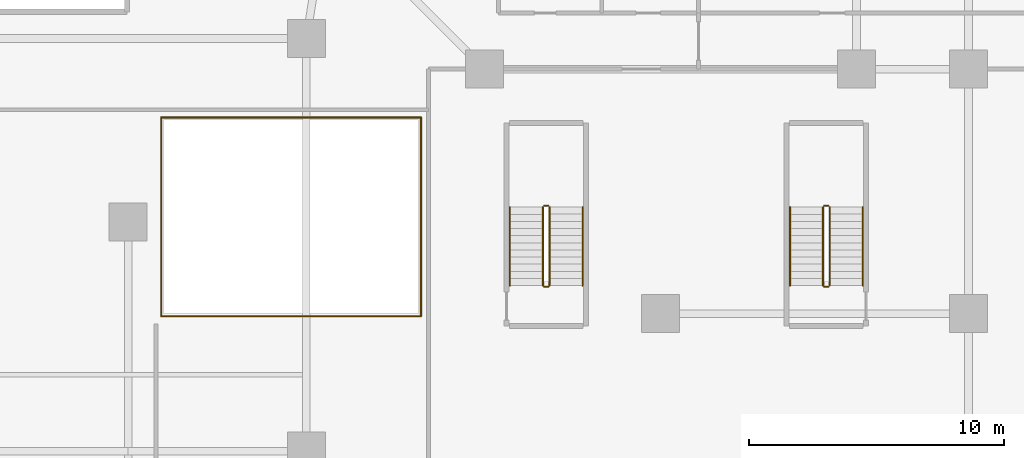
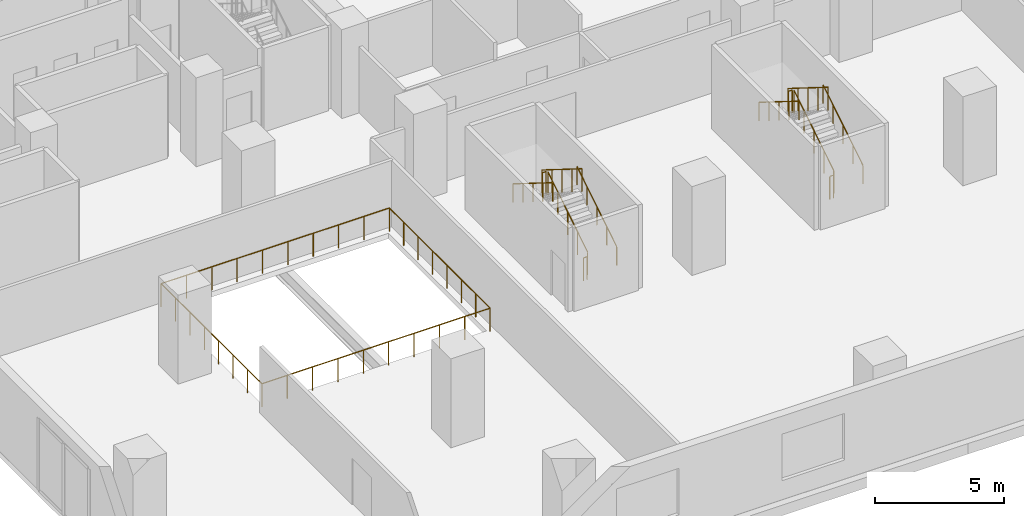
# One storey, part 12 of 14: 16 railings.
"""IFC4 building model written with IfcOpenShell, lengths in metres."""

from ifc_helpers import new_model, si_unit, direction, frame, origin, origin_2d, place, context, subcontext, project, spatial, circle, extrude, material, layer, layer_set, type_object, element, save


model = new_model("IFC4")

# Units and contexts
model_context = context("Model", 3, precision=1e-05, world=origin(), true_north=direction((0.0, 1.0)))
body_context = subcontext(model_context, "Body", "Model", "MODEL_VIEW")
ifc_project = project(units=[si_unit("LENGTHUNIT", "METRE"), si_unit("AREAUNIT", "SQUARE_METRE"), si_unit("VOLUMEUNIT", "CUBIC_METRE"), si_unit("PLANEANGLEUNIT", "RADIAN"), si_unit("MASSUNIT", "GRAM", prefix="KILO")], contexts=[model_context])

# Site, building, storey
site_placement = place(None, origin())
site = spatial("IfcSite", under=ifc_project, at=site_placement, CompositionType="ELEMENT")
building_placement = place(site_placement, origin())
building = spatial("IfcBuilding", under=site, at=building_placement, Name="Kuzgunbayir Cultural Tower", CompositionType="ELEMENT")
storey_placement = place(building_placement, frame((0.0, 0.0, 8.800048828125)))
storey = spatial("IfcBuildingStorey", under=building, at=storey_placement, Name="L02", CompositionType="ELEMENT", Elevation=8.800048828125)

# Railings
ifc_material_1 = material(Name="Brushed Stainless Steel", Category="steel")
ifc_layer_1 = layer(ifc_material_1, 0.050048828125)
ifc_layer_set_1 = layer_set([ifc_layer_1], Name="Brushed Stainless Steel")
railing_type_1 = type_object("IfcRailingType", Name="RLG-STAIR-HANDRAIL", PredefinedType="HANDRAIL", material=ifc_layer_set_1)
railing_1_placement = place(storey_placement, frame((30.449951171875, 19.10009765625, 0.175048828125)))
element("IfcRailing", 1, at=railing_1_placement, inside=storey, type_object=railing_type_1, Name="L02 ST-5 stair handrail 1", PredefinedType="HANDRAIL", context=body_context, shape_type="SweptSolid", body=[
    extrude(circle(Radius=0.02392578125, at=origin_2d()), frame((0.0, 0.0, 0.8759765625), z_axis=(0.0, 0.848009633417, 0.529980812513), x_axis=(-1.0, 0.0, 0.0)), (0.0, 0.0, 1.0), 3.6318359375),
    extrude(circle(Radius=0.02099609375, at=origin_2d()), origin(), (0.0, 0.0, 1.0), 0.851806640625),
    extrude(circle(Radius=0.02099609375, at=origin_2d()), frame((0.0, 0.77001953125, 0.481201171875)), (0.0, 0.0, 1.0), 0.851806640625),
    extrude(circle(Radius=0.02099609375, at=origin_2d()), frame((0.0, 1.5400390625, 0.96240234375)), (0.0, 0.0, 1.0), 0.851806640625),
    extrude(circle(Radius=0.02099609375, at=origin_2d()), frame((0.0, 2.309814453125, 1.443603515625)), (0.0, 0.0, 1.0), 0.851806640625),
    extrude(circle(Radius=0.02099609375, at=origin_2d()), frame((0.0, 3.079833984375, 1.9248046875)), (0.0, 0.0, 1.0), 0.851806640625),
])
railing_2_placement = place(storey_placement, frame((27.590087890625, 22.179931640625, 2.27490234375)))
element("IfcRailing", 2, at=railing_2_placement, inside=storey, type_object=railing_type_1, Name="L02 ST-5 stair handrail 2", PredefinedType="HANDRAIL", context=body_context, shape_type="SweptSolid", body=[
    extrude(circle(Radius=0.02392578125, at=origin_2d()), frame((0.0, 0.0, 0.8759765625), z_axis=(0.0, -0.847979421464, 0.530029150871), x_axis=(1.0, 0.0, 0.0)), (0.0, 0.0, 1.0), 3.632080078125),
    extrude(circle(Radius=0.02099609375, at=origin_2d()), origin(), (0.0, 0.0, 1.0), 0.851806640625),
    extrude(circle(Radius=0.02099609375, at=origin_2d()), frame((0.0, -0.77001953125, 0.481201171875)), (0.0, 0.0, 1.0), 0.851806640625),
    extrude(circle(Radius=0.02099609375, at=origin_2d()), frame((0.0, -1.5400390625, 0.96240234375)), (0.0, 0.0, 1.0), 0.851806640625),
    extrude(circle(Radius=0.02099609375, at=origin_2d()), frame((0.0, -2.309814453125, 1.44384765625)), (0.0, 0.0, 1.0), 0.851806640625),
    extrude(circle(Radius=0.02099609375, at=origin_2d()), frame((0.0, -3.079833984375, 1.925048828125)), (0.0, 0.0, 1.0), 0.851806640625),
])
railing_3_placement = place(storey_placement, frame((41.449951171875, 19.10009765625, 0.175048828125)))
element("IfcRailing", 3, at=railing_3_placement, inside=storey, type_object=railing_type_1, Name="L02 ST-6 stair handrail 1", PredefinedType="HANDRAIL", context=body_context, shape_type="SweptSolid", body=[
    extrude(circle(Radius=0.02392578125, at=origin_2d()), frame((0.0, 0.0, 0.8759765625), z_axis=(0.0, 0.848009633417, 0.529980812513), x_axis=(-1.0, 0.0, 0.0)), (0.0, 0.0, 1.0), 3.6318359375),
    extrude(circle(Radius=0.02099609375, at=origin_2d()), origin(), (0.0, 0.0, 1.0), 0.851806640625),
    extrude(circle(Radius=0.02099609375, at=origin_2d()), frame((0.0, 0.77001953125, 0.481201171875)), (0.0, 0.0, 1.0), 0.851806640625),
    extrude(circle(Radius=0.02099609375, at=origin_2d()), frame((0.0, 1.5400390625, 0.96240234375)), (0.0, 0.0, 1.0), 0.851806640625),
    extrude(circle(Radius=0.02099609375, at=origin_2d()), frame((0.0, 2.309814453125, 1.443603515625)), (0.0, 0.0, 1.0), 0.851806640625),
    extrude(circle(Radius=0.02099609375, at=origin_2d()), frame((0.0, 3.079833984375, 1.9248046875)), (0.0, 0.0, 1.0), 0.851806640625),
])
railing_4_placement = place(storey_placement, frame((38.590087890625, 22.179931640625, 2.27490234375)))
element("IfcRailing", 4, at=railing_4_placement, inside=storey, type_object=railing_type_1, Name="L02 ST-6 stair handrail 2", PredefinedType="HANDRAIL", context=body_context, shape_type="SweptSolid", body=[
    extrude(circle(Radius=0.02392578125, at=origin_2d()), frame((0.0, 0.0, 0.8759765625), z_axis=(0.0, -0.847979421464, 0.530029150871), x_axis=(1.0, 0.0, 0.0)), (0.0, 0.0, 1.0), 3.632080078125),
    extrude(circle(Radius=0.02099609375, at=origin_2d()), origin(), (0.0, 0.0, 1.0), 0.851806640625),
    extrude(circle(Radius=0.02099609375, at=origin_2d()), frame((0.0, -0.77001953125, 0.481201171875)), (0.0, 0.0, 1.0), 0.851806640625),
    extrude(circle(Radius=0.02099609375, at=origin_2d()), frame((0.0, -1.5400390625, 0.96240234375)), (0.0, 0.0, 1.0), 0.851806640625),
    extrude(circle(Radius=0.02099609375, at=origin_2d()), frame((0.0, -2.309814453125, 1.44384765625)), (0.0, 0.0, 1.0), 0.851806640625),
    extrude(circle(Radius=0.02099609375, at=origin_2d()), frame((0.0, -3.079833984375, 1.925048828125)), (0.0, 0.0, 1.0), 0.851806640625),
])
ifc_material_2 = material(Name="Painted Steel Balustrade", Category="steel")
ifc_layer_2 = layer(ifc_material_2, 0.06005859375)
ifc_layer_set_2 = layer_set([ifc_layer_2], Name="Painted Steel Balustrade")
railing_type_2 = type_object("IfcRailingType", Name="RLG-WELL-GUARD", PredefinedType="GUARDRAIL", material=ifc_layer_set_2)
railing_5_placement = place(storey_placement, frame((29.14990234375, 19.10009765625, 0.175048828125)))
element("IfcRailing", 5, at=railing_5_placement, inside=storey, type_object=railing_type_2, Name="L02 ST-5 stair guard 1", PredefinedType="GUARDRAIL", context=body_context, shape_type="SweptSolid", body=[
    extrude(circle(Radius=0.02392578125, at=origin_2d()), frame((0.0, 0.0, 1.076171875), z_axis=(0.0, 0.848009633417, 0.529980812513), x_axis=(-1.0, 0.0, 0.0)), (0.0, 0.0, 1.0), 3.6318359375),
    extrude(circle(Radius=0.02099609375, at=origin_2d()), origin(), (0.0, 0.0, 1.0), 1.052001953125),
    extrude(circle(Radius=0.02099609375, at=origin_2d()), frame((0.0, 0.77001953125, 0.481201171875)), (0.0, 0.0, 1.0), 1.052001953125),
    extrude(circle(Radius=0.02099609375, at=origin_2d()), frame((0.0, 1.5400390625, 0.96240234375)), (0.0, 0.0, 1.0), 1.052001953125),
    extrude(circle(Radius=0.02099609375, at=origin_2d()), frame((0.0, 2.309814453125, 1.443603515625)), (0.0, 0.0, 1.0), 1.052001953125),
    extrude(circle(Radius=0.02099609375, at=origin_2d()), frame((0.0, 3.079833984375, 1.9248046875)), (0.0, 0.0, 1.0), 1.052001953125),
])
railing_6_placement = place(storey_placement, frame((29.10009765625, 22.22998046875, 2.099853515625)))
element("IfcRailing", 6, at=railing_6_placement, inside=storey, type_object=railing_type_2, Name="L02 ST-5 stair guard 2", PredefinedType="GUARDRAIL", context=body_context, shape_type="SweptSolid", body=[
    extrude(circle(Radius=0.02392578125, at=origin_2d()), frame((0.0, 0.0, 1.076171875), z_axis=(-1.0, 0.0, 0.0), x_axis=(0.0, -1.0, 0.0)), (0.0, 0.0, 1.0), 0.16015625),
    extrude(circle(Radius=0.02099609375, at=origin_2d()), origin(), (0.0, 0.0, 1.0), 1.052001953125),
    extrude(circle(Radius=0.02099609375, at=origin_2d()), frame((-0.16015625, 0.0, 0.0)), (0.0, 0.0, 1.0), 1.052001953125),
])
railing_7_placement = place(storey_placement, frame((28.889892578125, 22.179931640625, 2.27490234375)))
element("IfcRailing", 7, at=railing_7_placement, inside=storey, type_object=railing_type_2, Name="L02 ST-5 stair guard 3", PredefinedType="GUARDRAIL", context=body_context, shape_type="SweptSolid", body=[
    extrude(circle(Radius=0.02392578125, at=origin_2d()), frame((0.0, 0.0, 1.076171875), z_axis=(0.0, -0.847979421464, 0.530029150871), x_axis=(1.0, 0.0, 0.0)), (0.0, 0.0, 1.0), 3.632080078125),
    extrude(circle(Radius=0.02099609375, at=origin_2d()), origin(), (0.0, 0.0, 1.0), 1.052001953125),
    extrude(circle(Radius=0.02099609375, at=origin_2d()), frame((0.0, -0.77001953125, 0.481201171875)), (0.0, 0.0, 1.0), 1.052001953125),
    extrude(circle(Radius=0.02099609375, at=origin_2d()), frame((0.0, -1.5400390625, 0.96240234375)), (0.0, 0.0, 1.0), 1.052001953125),
    extrude(circle(Radius=0.02099609375, at=origin_2d()), frame((0.0, -2.309814453125, 1.44384765625)), (0.0, 0.0, 1.0), 1.052001953125),
    extrude(circle(Radius=0.02099609375, at=origin_2d()), frame((0.0, -3.079833984375, 1.925048828125)), (0.0, 0.0, 1.0), 1.052001953125),
])
railing_8_placement = place(storey_placement, frame((29.10009765625, 19.050048828125, 0.0)))
element("IfcRailing", 8, at=railing_8_placement, inside=storey, type_object=railing_type_2, Name="L02 ST-5 stair guard 4", PredefinedType="GUARDRAIL", context=body_context, shape_type="SweptSolid", body=[
    extrude(circle(Radius=0.02392578125, at=origin_2d()), frame((0.0, 0.0, 1.076171875), z_axis=(-1.0, 0.0, 0.0), x_axis=(0.0, -1.0, 0.0)), (0.0, 0.0, 1.0), 0.16015625),
    extrude(circle(Radius=0.02099609375, at=origin_2d()), origin(), (0.0, 0.0, 1.0), 1.052001953125),
    extrude(circle(Radius=0.02099609375, at=origin_2d()), frame((-0.16015625, 0.0, 0.0)), (0.0, 0.0, 1.0), 1.052001953125),
])
railing_9_placement = place(storey_placement, frame((40.14990234375, 19.10009765625, 0.175048828125)))
element("IfcRailing", 9, at=railing_9_placement, inside=storey, type_object=railing_type_2, Name="L02 ST-6 stair guard 1", PredefinedType="GUARDRAIL", context=body_context, shape_type="SweptSolid", body=[
    extrude(circle(Radius=0.02392578125, at=origin_2d()), frame((0.0, 0.0, 1.076171875), z_axis=(0.0, 0.848009633417, 0.529980812513), x_axis=(-1.0, 0.0, 0.0)), (0.0, 0.0, 1.0), 3.6318359375),
    extrude(circle(Radius=0.02099609375, at=origin_2d()), origin(), (0.0, 0.0, 1.0), 1.052001953125),
    extrude(circle(Radius=0.02099609375, at=origin_2d()), frame((0.0, 0.77001953125, 0.481201171875)), (0.0, 0.0, 1.0), 1.052001953125),
    extrude(circle(Radius=0.02099609375, at=origin_2d()), frame((0.0, 1.5400390625, 0.96240234375)), (0.0, 0.0, 1.0), 1.052001953125),
    extrude(circle(Radius=0.02099609375, at=origin_2d()), frame((0.0, 2.309814453125, 1.443603515625)), (0.0, 0.0, 1.0), 1.052001953125),
    extrude(circle(Radius=0.02099609375, at=origin_2d()), frame((0.0, 3.079833984375, 1.9248046875)), (0.0, 0.0, 1.0), 1.052001953125),
])
railing_10_placement = place(storey_placement, frame((40.10009765625, 22.22998046875, 2.099853515625)))
element("IfcRailing", 10, at=railing_10_placement, inside=storey, type_object=railing_type_2, Name="L02 ST-6 stair guard 2", PredefinedType="GUARDRAIL", context=body_context, shape_type="SweptSolid", body=[
    extrude(circle(Radius=0.02392578125, at=origin_2d()), frame((0.0, 0.0, 1.076171875), z_axis=(-1.0, 0.0, 0.0), x_axis=(0.0, -1.0, 0.0)), (0.0, 0.0, 1.0), 0.16015625),
    extrude(circle(Radius=0.02099609375, at=origin_2d()), origin(), (0.0, 0.0, 1.0), 1.052001953125),
    extrude(circle(Radius=0.02099609375, at=origin_2d()), frame((-0.16015625, 0.0, 0.0)), (0.0, 0.0, 1.0), 1.052001953125),
])
railing_11_placement = place(storey_placement, frame((39.889892578125, 22.179931640625, 2.27490234375)))
element("IfcRailing", 11, at=railing_11_placement, inside=storey, type_object=railing_type_2, Name="L02 ST-6 stair guard 3", PredefinedType="GUARDRAIL", context=body_context, shape_type="SweptSolid", body=[
    extrude(circle(Radius=0.02392578125, at=origin_2d()), frame((0.0, 0.0, 1.076171875), z_axis=(0.0, -0.847979421464, 0.530029150871), x_axis=(1.0, 0.0, 0.0)), (0.0, 0.0, 1.0), 3.632080078125),
    extrude(circle(Radius=0.02099609375, at=origin_2d()), origin(), (0.0, 0.0, 1.0), 1.052001953125),
    extrude(circle(Radius=0.02099609375, at=origin_2d()), frame((0.0, -0.77001953125, 0.481201171875)), (0.0, 0.0, 1.0), 1.052001953125),
    extrude(circle(Radius=0.02099609375, at=origin_2d()), frame((0.0, -1.5400390625, 0.96240234375)), (0.0, 0.0, 1.0), 1.052001953125),
    extrude(circle(Radius=0.02099609375, at=origin_2d()), frame((0.0, -2.309814453125, 1.44384765625)), (0.0, 0.0, 1.0), 1.052001953125),
    extrude(circle(Radius=0.02099609375, at=origin_2d()), frame((0.0, -3.079833984375, 1.925048828125)), (0.0, 0.0, 1.0), 1.052001953125),
])
railing_12_placement = place(storey_placement, frame((40.10009765625, 19.050048828125, 0.0)))
element("IfcRailing", 12, at=railing_12_placement, inside=storey, type_object=railing_type_2, Name="L02 ST-6 stair guard 4", PredefinedType="GUARDRAIL", context=body_context, shape_type="SweptSolid", body=[
    extrude(circle(Radius=0.02392578125, at=origin_2d()), frame((0.0, 0.0, 1.076171875), z_axis=(-1.0, 0.0, 0.0), x_axis=(0.0, -1.0, 0.0)), (0.0, 0.0, 1.0), 0.16015625),
    extrude(circle(Radius=0.02099609375, at=origin_2d()), origin(), (0.0, 0.0, 1.0), 1.052001953125),
    extrude(circle(Radius=0.02099609375, at=origin_2d()), frame((-0.16015625, 0.0, 0.0)), (0.0, 0.0, 1.0), 1.052001953125),
])
railing_13_placement = place(storey_placement, frame((13.89990234375, 17.89990234375, 0.0)))
element("IfcRailing", 13, at=railing_13_placement, inside=storey, type_object=railing_type_2, Name="L02 Atrium Void Guard 1", PredefinedType="GUARDRAIL", context=body_context, shape_type="SweptSolid", body=[
    extrude(circle(Radius=0.02392578125, at=origin_2d()), frame((0.0, 0.0, 1.09619140625), z_axis=(1.0, 0.0, 0.0), x_axis=(0.0, 1.0, 0.0)), (0.0, 0.0, 1.0), 10.2001953125),
    extrude(circle(Radius=0.02099609375, at=origin_2d()), origin(), (0.0, 0.0, 1.0), 1.072021484375),
    extrude(circle(Radius=0.02099609375, at=origin_2d()), frame((1.13330078125, 0.0, 0.0)), (0.0, 0.0, 1.0), 1.072021484375),
    extrude(circle(Radius=0.02099609375, at=origin_2d()), frame((2.2666015625, 0.0, 0.0)), (0.0, 0.0, 1.0), 1.072021484375),
    extrude(circle(Radius=0.02099609375, at=origin_2d()), frame((3.400146484375, 0.0, 0.0)), (0.0, 0.0, 1.0), 1.072021484375),
    extrude(circle(Radius=0.02099609375, at=origin_2d()), frame((4.533447265625, 0.0, 0.0)), (0.0, 0.0, 1.0), 1.072021484375),
    extrude(circle(Radius=0.02099609375, at=origin_2d()), frame((5.666748046875, 0.0, 0.0)), (0.0, 0.0, 1.0), 1.072021484375),
    extrude(circle(Radius=0.02099609375, at=origin_2d()), frame((6.800048828125, 0.0, 0.0)), (0.0, 0.0, 1.0), 1.072021484375),
    extrude(circle(Radius=0.02099609375, at=origin_2d()), frame((7.93359375, 0.0, 0.0)), (0.0, 0.0, 1.0), 1.072021484375),
    extrude(circle(Radius=0.02099609375, at=origin_2d()), frame((9.06689453125, 0.0, 0.0)), (0.0, 0.0, 1.0), 1.072021484375),
    extrude(circle(Radius=0.02099609375, at=origin_2d()), frame((10.2001953125, 0.0, 0.0)), (0.0, 0.0, 1.0), 1.072021484375),
])
railing_14_placement = place(storey_placement, frame((24.10009765625, 17.89990234375, 0.0)))
element("IfcRailing", 14, at=railing_14_placement, inside=storey, type_object=railing_type_2, Name="L02 Atrium Void Guard 2", PredefinedType="GUARDRAIL", context=body_context, shape_type="SweptSolid", body=[
    extrude(circle(Radius=0.02392578125, at=origin_2d()), frame((0.0, 0.0, 1.09619140625), z_axis=(0.0, 1.0, 0.0), x_axis=(-1.0, 0.0, 0.0)), (0.0, 0.0, 1.0), 7.800048828125),
    extrude(circle(Radius=0.02099609375, at=origin_2d()), origin(), (0.0, 0.0, 1.0), 1.072021484375),
    extrude(circle(Radius=0.02099609375, at=origin_2d()), frame((0.0, 1.1142578125, 0.0)), (0.0, 0.0, 1.0), 1.072021484375),
    extrude(circle(Radius=0.02099609375, at=origin_2d()), frame((0.0, 2.228515625, 0.0)), (0.0, 0.0, 1.0), 1.072021484375),
    extrude(circle(Radius=0.02099609375, at=origin_2d()), frame((0.0, 3.3427734375, 0.0)), (0.0, 0.0, 1.0), 1.072021484375),
    extrude(circle(Radius=0.02099609375, at=origin_2d()), frame((0.0, 4.457275390625, 0.0)), (0.0, 0.0, 1.0), 1.072021484375),
    extrude(circle(Radius=0.02099609375, at=origin_2d()), frame((0.0, 5.571533203125, 0.0)), (0.0, 0.0, 1.0), 1.072021484375),
    extrude(circle(Radius=0.02099609375, at=origin_2d()), frame((0.0, 6.685791015625, 0.0)), (0.0, 0.0, 1.0), 1.072021484375),
    extrude(circle(Radius=0.02099609375, at=origin_2d()), frame((0.0, 7.800048828125, 0.0)), (0.0, 0.0, 1.0), 1.072021484375),
])
railing_15_placement = place(storey_placement, frame((24.10009765625, 25.699951171875, 0.0)))
element("IfcRailing", 15, at=railing_15_placement, inside=storey, type_object=railing_type_2, Name="L02 Atrium Void Guard 3", PredefinedType="GUARDRAIL", context=body_context, shape_type="SweptSolid", body=[
    extrude(circle(Radius=0.02392578125, at=origin_2d()), frame((0.0, 0.0, 1.09619140625), z_axis=(-1.0, 0.0, 0.0), x_axis=(0.0, -1.0, 0.0)), (0.0, 0.0, 1.0), 10.2001953125),
    extrude(circle(Radius=0.02099609375, at=origin_2d()), origin(), (0.0, 0.0, 1.0), 1.072021484375),
    extrude(circle(Radius=0.02099609375, at=origin_2d()), frame((-1.13330078125, 0.0, 0.0)), (0.0, 0.0, 1.0), 1.072021484375),
    extrude(circle(Radius=0.02099609375, at=origin_2d()), frame((-2.2666015625, 0.0, 0.0)), (0.0, 0.0, 1.0), 1.072021484375),
    extrude(circle(Radius=0.02099609375, at=origin_2d()), frame((-3.400146484375, 0.0, 0.0)), (0.0, 0.0, 1.0), 1.072021484375),
    extrude(circle(Radius=0.02099609375, at=origin_2d()), frame((-4.533447265625, 0.0, 0.0)), (0.0, 0.0, 1.0), 1.072021484375),
    extrude(circle(Radius=0.02099609375, at=origin_2d()), frame((-5.666748046875, 0.0, 0.0)), (0.0, 0.0, 1.0), 1.072021484375),
    extrude(circle(Radius=0.02099609375, at=origin_2d()), frame((-6.800048828125, 0.0, 0.0)), (0.0, 0.0, 1.0), 1.072021484375),
    extrude(circle(Radius=0.02099609375, at=origin_2d()), frame((-7.93359375, 0.0, 0.0)), (0.0, 0.0, 1.0), 1.072021484375),
    extrude(circle(Radius=0.02099609375, at=origin_2d()), frame((-9.06689453125, 0.0, 0.0)), (0.0, 0.0, 1.0), 1.072021484375),
    extrude(circle(Radius=0.02099609375, at=origin_2d()), frame((-10.2001953125, 0.0, 0.0)), (0.0, 0.0, 1.0), 1.072021484375),
])
railing_16_placement = place(storey_placement, frame((13.89990234375, 25.699951171875, 0.0)))
element("IfcRailing", 16, at=railing_16_placement, inside=storey, type_object=railing_type_2, Name="L02 Atrium Void Guard 4", PredefinedType="GUARDRAIL", context=body_context, shape_type="SweptSolid", body=[
    extrude(circle(Radius=0.02392578125, at=origin_2d()), frame((0.0, 0.0, 1.09619140625), z_axis=(0.0, -1.0, 0.0), x_axis=(1.0, 0.0, 0.0)), (0.0, 0.0, 1.0), 7.800048828125),
    extrude(circle(Radius=0.02099609375, at=origin_2d()), origin(), (0.0, 0.0, 1.0), 1.072021484375),
    extrude(circle(Radius=0.02099609375, at=origin_2d()), frame((0.0, -1.1142578125, 0.0)), (0.0, 0.0, 1.0), 1.072021484375),
    extrude(circle(Radius=0.02099609375, at=origin_2d()), frame((0.0, -2.228515625, 0.0)), (0.0, 0.0, 1.0), 1.072021484375),
    extrude(circle(Radius=0.02099609375, at=origin_2d()), frame((0.0, -3.3427734375, 0.0)), (0.0, 0.0, 1.0), 1.072021484375),
    extrude(circle(Radius=0.02099609375, at=origin_2d()), frame((0.0, -4.457275390625, 0.0)), (0.0, 0.0, 1.0), 1.072021484375),
    extrude(circle(Radius=0.02099609375, at=origin_2d()), frame((0.0, -5.571533203125, 0.0)), (0.0, 0.0, 1.0), 1.072021484375),
    extrude(circle(Radius=0.02099609375, at=origin_2d()), frame((0.0, -6.685791015625, 0.0)), (0.0, 0.0, 1.0), 1.072021484375),
    extrude(circle(Radius=0.02099609375, at=origin_2d()), frame((0.0, -7.800048828125, 0.0)), (0.0, 0.0, 1.0), 1.072021484375),
])

save(model, "model.ifc")
